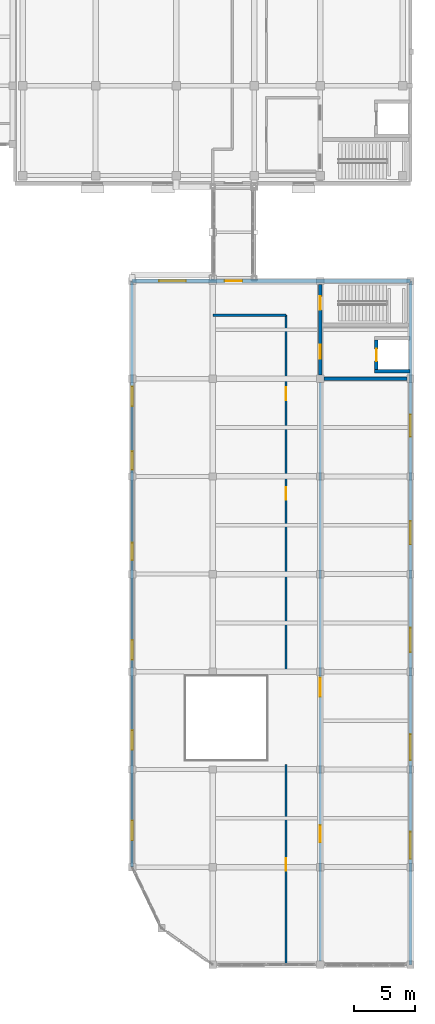
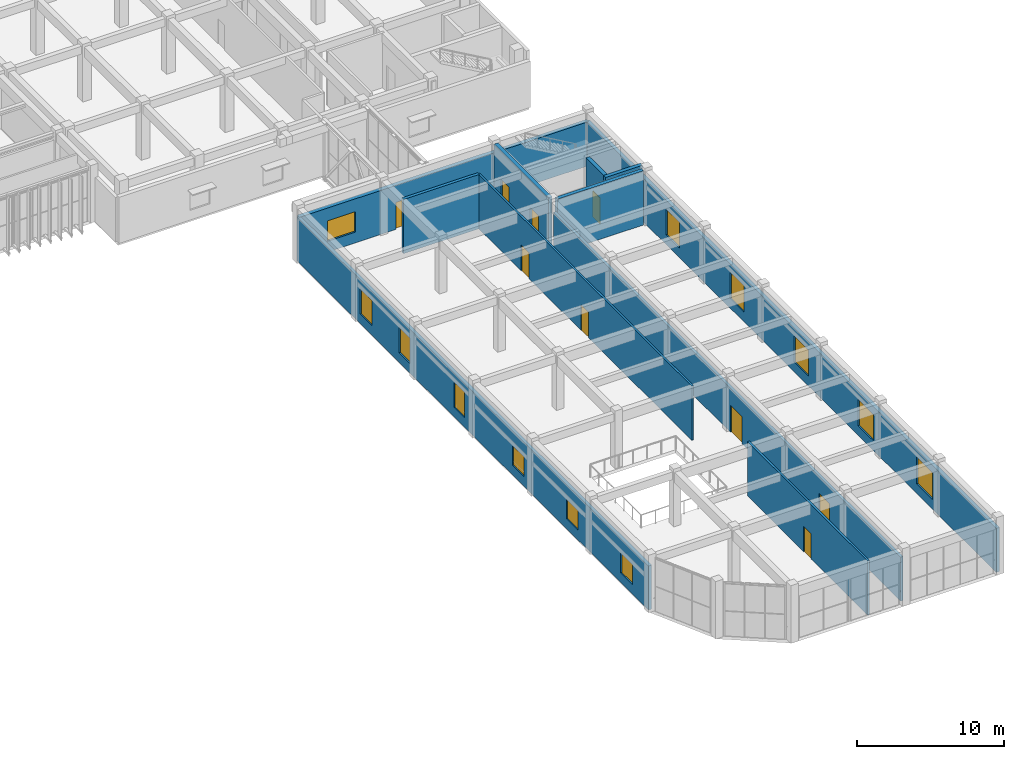
# One storey, part 43 of 64: 12 windows, 11 walls, 9 doors, 21 openings.
"""IFC4 building model written with IfcOpenShell, lengths in metres."""

import ifcopenshell
import ifcopenshell.guid

model = None  # the IFC model being written
_history = None  # IfcOwnerHistory: only IFC2X3 demands one
_inside = {}  # id of a spatial element -> (the spatial element, [elements in it])
_under = {}  # id of a project, library or spatial element -> (it, [spatial elements below it])
_declared = {}  # id of a project -> (the project, [libraries it declares])
_typed = {}  # id of a type object -> (the type object, [elements of that type])
_made_of = {}  # id of a material, layer set ... -> (it, [elements and type objects made of it])


def new_model(schema):
    """Start an empty IFC model of exactly this schema.

    Asked for "IFC4X3", IfcOpenShell would pick the latest addendum, in which some entities
    have other attributes; the version numbers below select the first issue.
    IFC2X3 requires an IfcOwnerHistory on every rooted entity: one is made here for all.
    """
    global model, _history
    if schema == "IFC4X3":
        model = ifcopenshell.file(schema_version=(4, 3, 0, 0))
    else:
        model = ifcopenshell.file(schema=schema)
    _inside.clear()
    _under.clear()
    _declared.clear()
    _typed.clear()
    _made_of.clear()
    _history = None
    if model.schema == "IFC2X3":
        org = make("IfcOrganization", Name="unknown")
        user = make(
            "IfcPersonAndOrganization",
            ThePerson=make("IfcPerson", FamilyName="unknown"),
            TheOrganization=org,
        )
        app = make(
            "IfcApplication",
            ApplicationDeveloper=org,
            Version="unknown",
            ApplicationFullName="unknown",
            ApplicationIdentifier="unknown",
        )
        _history = make(
            "IfcOwnerHistory",
            OwningUser=user,
            OwningApplication=app,
            ChangeAction="ADDED",
            CreationDate=0,
        )
    return model


def make(cls, **values):
    """One entity of the class cls with the attributes given. An attribute that is None is left unset."""
    return model.create_entity(
        cls, **{name: value for name, value in values.items() if value is not None}
    )


def rooted(cls, **values):
    """An entity with a GlobalId (a new one), such as an element, a storey or a relation."""
    return make(cls, GlobalId=ifcopenshell.guid.new(), OwnerHistory=_history, **values)


def si_unit(unit_type, name, prefix=None):
    """IfcSIUnit, for example si_unit("LENGTHUNIT", "METRE", prefix="MILLI")."""
    return make("IfcSIUnit", UnitType=unit_type, Prefix=prefix, Name=name)


def assignment(units):
    """IfcUnitAssignment: the units of a project."""
    return None if units is None else make("IfcUnitAssignment", Units=units)


def point(xyz):
    """IfcCartesianPoint."""
    return None if xyz is None else make("IfcCartesianPoint", Coordinates=xyz)


def direction(xyz):
    """IfcDirection."""
    return None if xyz is None else make("IfcDirection", DirectionRatios=xyz)


def frame(location, z_axis=None, x_axis=None):
    """IfcAxis2Placement3D, a coordinate frame: its origin and axes. An axis left out is left unset."""
    return make(
        "IfcAxis2Placement3D",
        Location=point(location),
        Axis=direction(z_axis),
        RefDirection=direction(x_axis),
    )


def frame_2d(location, x_axis=None):
    """IfcAxis2Placement2D, a coordinate frame in the plane: its origin and x axis."""
    return make(
        "IfcAxis2Placement2D", Location=point(location), RefDirection=direction(x_axis)
    )


def origin():
    """The frame at (0, 0, 0) with its axes left unset."""
    return frame((0.0, 0.0, 0.0))


def place(relative_to, where):
    """IfcLocalPlacement: puts the frame where relative to a parent placement (None: the world)."""
    return make(
        "IfcLocalPlacement", PlacementRelTo=relative_to, RelativePlacement=where
    )


def context(
    kind, dimensions, precision=None, world=None, true_north=None, identifier=None
):
    """IfcGeometricRepresentationContext, for example the 3D "Model" context."""
    return make(
        "IfcGeometricRepresentationContext",
        ContextIdentifier=identifier,
        ContextType=kind,
        CoordinateSpaceDimension=dimensions,
        Precision=precision,
        WorldCoordinateSystem=world,
        TrueNorth=true_north,
    )


def subcontext(parent, identifier, kind, view, scale=None):
    """IfcGeometricRepresentationSubContext, for example "Body" below "Model"."""
    return make(
        "IfcGeometricRepresentationSubContext",
        ContextIdentifier=identifier,
        ContextType=kind,
        ParentContext=parent,
        TargetScale=scale,
        TargetView=view,
    )


def project(units=None, contexts=None):
    """IfcProject with its units and contexts."""
    return rooted(
        "IfcProject",
        Name="project",
        RepresentationContexts=contexts,
        UnitsInContext=assignment(units),
    )


def spatial(cls, under=None, at=None, **own):
    """A site, building, storey or space (cls), placed at a placement, below another one or the project."""
    s = rooted(cls, ObjectPlacement=at, **own)
    if under is not None:
        _under.setdefault(under.id(), (under, []))[1].append(s)
    return s


def profile(cls, at=None, kind="AREA", **sizes):
    """A parametric profile (cls). Its sizes go by their IFC names, for example OverallWidth=200.0."""
    return make(cls, ProfileType=kind, Position=at, **sizes)


def rectangle(**sizes):
    """IfcRectangleProfileDef."""
    return profile("IfcRectangleProfileDef", **sizes)


def extrude(swept, where, along, depth):
    """IfcExtrudedAreaSolid: the profile swept, set in the frame where, extruded along a direction by depth."""
    return make(
        "IfcExtrudedAreaSolid",
        SweptArea=swept,
        Position=where,
        ExtrudedDirection=direction(along),
        Depth=depth,
    )


def shape(context_of_items, identifier, shape_type, items):
    """IfcShapeRepresentation: the items that make up one representation, for example the "Body"."""
    return make(
        "IfcShapeRepresentation",
        ContextOfItems=context_of_items,
        RepresentationIdentifier=identifier,
        RepresentationType=shape_type,
        Items=items,
    )


def material(Name=None, Category=None):
    """IfcMaterial."""
    return make("IfcMaterial", Name=Name, Category=Category)


def layer(
    of_material, thickness, ventilated=None, Name=None, Category=None, Priority=None
):
    """IfcMaterialLayer: one layer of a wall or slab, of a material (None: an air gap)."""
    return make(
        "IfcMaterialLayer",
        Material=of_material,
        LayerThickness=thickness,
        IsVentilated=ventilated,
        Name=Name,
        Category=Category,
        Priority=Priority,
    )


def layer_set(layers, Name=None):
    """IfcMaterialLayerSet."""
    return make("IfcMaterialLayerSet", MaterialLayers=layers, LayerSetName=Name)


def made_of(thing, what):
    """Note that an element or type object is made of a material, layer set ...; save() writes the relation."""
    if what is not None:
        _made_of.setdefault(what.id(), (what, []))[1].append(thing)
    return thing


def type_object(cls, material=None, **own):
    """A type object (cls), such as IfcWallType, which elements share."""
    return made_of(rooted(cls, **own), material)


def element(
    cls,
    number,
    at=None,
    inside=None,
    cuts=None,
    type_object=None,
    material=None,
    context=None,
    identifier="Body",
    shape_type=None,
    held_by="IfcProductDefinitionShape",
    body=None,
    shapes=None,
    **own,
):
    """One element of the class cls, such as IfcWall. Its Tag is "e" and its number.

    at: its placement. inside: the storey or other place that contains it. cuts: it is an
    opening in that element (IfcRelVoidsElement). A single representation is given by context,
    identifier, shape_type and body (its items); several are given by shapes. held_by: the class
    of the entity that holds the representations. save() writes the other relations.
    """
    e = rooted(cls, Tag="e%d" % number, ObjectPlacement=at, **own)
    if body is not None:
        shapes = [shape(context, identifier, shape_type, body)]
    if shapes is not None:
        e.Representation = make(held_by, Representations=shapes)
    if inside is not None:
        _inside.setdefault(inside.id(), (inside, []))[1].append(e)
    if cuts is not None:
        rooted(
            "IfcRelVoidsElement", RelatingBuildingElement=cuts, RelatedOpeningElement=e
        )
    if type_object is not None:
        _typed.setdefault(type_object.id(), (type_object, []))[1].append(e)
    return made_of(e, material)


def fill(opening, filler):
    """IfcRelFillsElement: the door or window that sits in an opening."""
    return rooted(
        "IfcRelFillsElement",
        RelatingOpeningElement=opening,
        RelatedBuildingElement=filler,
    )


def aggregate(whole, parts):
    """IfcRelAggregates: a whole, such as a stair, and the parts it consists of."""
    return rooted("IfcRelAggregates", RelatingObject=whole, RelatedObjects=parts)


def save(model, path):
    """Write the relations noted so far, then the file.

    IfcRelAggregates (storeys below a building ...), IfcRelContainedInSpatialStructure (elements
    in a storey), IfcRelDefinesByType, IfcRelAssociatesMaterial and IfcRelDeclares: one each for
    every whole, place, type object, material and project.
    """
    for whole, parts in _under.values():
        aggregate(whole, parts)
    for where, things in _inside.values():
        rooted(
            "IfcRelContainedInSpatialStructure",
            RelatedElements=things,
            RelatingStructure=where,
        )
    for kind, things in _typed.values():
        rooted("IfcRelDefinesByType", RelatedObjects=things, RelatingType=kind)
    for what, things in _made_of.values():
        rooted("IfcRelAssociatesMaterial", RelatedObjects=things, RelatingMaterial=what)
    for by, libraries in _declared.values():
        rooted("IfcRelDeclares", RelatingContext=by, RelatedDefinitions=libraries)
    model.write(path)


model = new_model("IFC4")

# Units and contexts
model_context = context("Model", 3, precision=1e-05, world=origin(), true_north=direction((0.0, 1.0)))
body_context = subcontext(model_context, "Body", "Model", "MODEL_VIEW")
ifc_project = project(units=[si_unit("LENGTHUNIT", "METRE"), si_unit("AREAUNIT", "SQUARE_METRE"), si_unit("VOLUMEUNIT", "CUBIC_METRE"), si_unit("PLANEANGLEUNIT", "RADIAN"), si_unit("MASSUNIT", "GRAM", prefix="KILO")], contexts=[model_context])

# Site, building, storey
site_placement = place(None, origin())
site = spatial("IfcSite", under=ifc_project, at=site_placement, CompositionType="ELEMENT")
building_placement = place(site_placement, origin())
building = spatial("IfcBuilding", under=site, at=building_placement, Name="Cinchona Park Media Centre", CompositionType="ELEMENT")
storey_placement = place(building_placement, frame((0.0, 0.0, 5.39990234375)))
storey = spatial("IfcBuildingStorey", under=building, at=storey_placement, Name="L01", CompositionType="ELEMENT", Elevation=5.39990234375)

# Wall, openings, doors
ifc_material_1 = material(Name="Acoustic Double-Stud Gypsum Partition", Category="gypsum")
ifc_layer_1 = layer(ifc_material_1, 0.2099609375)
ifc_layer_set_1 = layer_set([ifc_layer_1], Name="Acoustic Double-Stud Gypsum Partition")
wall_type_1 = type_object("IfcWallType", Name="WALL-W-AC210", PredefinedType="PARTITIONING", material=ifc_layer_set_1)
wall_1_placement = place(storey_placement, frame((164.60009765625, 55.298095703125, 0.0), z_axis=(0.0, 0.0, 1.0), x_axis=(0.0, -1.0, 0.0)))
wall_1 = element("IfcWall", 1, at=wall_1_placement, inside=storey, type_object=wall_type_1, Name="Interior Wall W-AC210 L01", PredefinedType="PARTITIONING", context=body_context, shape_type="SweptSolid", body=[
    extrude(rectangle(XDim=47.39599609375, YDim=0.2099609375, at=frame_2d((23.697998046875, 0.0))), origin(), (0.0, 0.0, 1.0), 3.670166015625),
])
opening_1_placement = place(wall_1_placement, frame((24.179931640625, 0.0, 0.0)))
opening_1 = element("IfcOpeningElement", 2, at=opening_1_placement, cuts=wall_1, Name="Opening D249", PredefinedType="OPENING", context=body_context, shape_type="SweptSolid", body=[
    extrude(rectangle(XDim=1.550048828125, YDim=2.25, at=frame_2d((0.77490234375, 1.125))), frame((0.0, 0.114990234375, 0.0), z_axis=(0.0, -1.0, 0.0), x_axis=(1.0, 0.0, 0.0)), (0.0, 0.0, 1.0), 0.22998046875),
])
opening_2_placement = place(wall_1_placement, frame((36.26904296875, 0.0, 0.0)))
opening_2 = element("IfcOpeningElement", 3, at=opening_2_placement, cuts=wall_1, Name="Opening D250", PredefinedType="OPENING", context=body_context, shape_type="SweptSolid", body=[
    extrude(rectangle(XDim=1.39990234375, YDim=2.25, at=frame_2d((0.699951171875, 1.125))), frame((0.0, 0.114990234375, 0.0), z_axis=(0.0, -1.0, 0.0), x_axis=(1.0, 0.0, 0.0)), (0.0, 0.0, 1.0), 0.22998046875),
])
ifc_material_2 = material(Name="Acoustic Double-Seal Steel Door", Category="steel")
door_type_1 = type_object("IfcDoorType", Name="DOOR-DT-AC", OperationType="NOTDEFINED", PredefinedType="DOOR", material=ifc_material_2)
door_1_placement = place(opening_2_placement, origin())
door_1 = element("IfcDoor", 4, at=door_1_placement, inside=storey, type_object=door_type_1, Name="Interior Door D250", OperationType="SINGLE_SWING_RIGHT", OverallHeight=2.25, OverallWidth=1.39990234375, PredefinedType="DOOR", context=body_context, shape_type="SweptSolid", body=[
    extrude(rectangle(XDim=1.39990234375, YDim=2.25, at=frame_2d((0.699951171875, 1.125))), frame((0.0, 0.02490234375, 0.0), z_axis=(0.0, -1.0, 0.0), x_axis=(1.0, 0.0, 0.0)), (0.0, 0.0, 1.0), 0.050048828125),
])
fill(opening_2, door_1)
ifc_material_3 = material(Name="Solid-Core Timber Acoustic Door", Category="wood")
door_type_2 = type_object("IfcDoorType", Name="DOOR-DT16", OperationType="NOTDEFINED", PredefinedType="DOOR", material=ifc_material_3)
door_2_placement = place(opening_1_placement, origin())
door_2 = element("IfcDoor", 5, at=door_2_placement, inside=storey, type_object=door_type_2, Name="Interior Door D249", OperationType="SINGLE_SWING_LEFT", OverallHeight=2.25, OverallWidth=1.550048828125, PredefinedType="DOOR", context=body_context, shape_type="SweptSolid", body=[
    extrude(rectangle(XDim=1.550048828125, YDim=2.25, at=frame_2d((0.77490234375, 1.125))), frame((0.0, 0.02490234375, 0.0), z_axis=(0.0, -1.0, 0.0), x_axis=(1.0, 0.0, 0.0)), (0.0, 0.0, 1.0), 0.050048828125),
])
fill(opening_1, door_2)

# Walls
ifc_material_4 = material(Name="Acoustic Double-Stud Gypsum Partition", Category="gypsum")
ifc_layer_2 = layer(ifc_material_4, 0.239990234375)
ifc_layer_set_2 = layer_set([ifc_layer_2], Name="Acoustic Double-Stud Gypsum Partition")
wall_type_2 = type_object("IfcWallType", Name="WALL-W-AC240", PredefinedType="PARTITIONING", material=ifc_layer_set_2)
wall_2_placement = place(storey_placement, frame((161.800048828125, 60.800048828125, 0.0), z_axis=(0.0, 0.0, 1.0), x_axis=(-1.0, 0.0, 0.0)))
element("IfcWall", 6, at=wall_2_placement, inside=storey, type_object=wall_type_2, Name="Interior Wall W-AC240 L01", PredefinedType="PARTITIONING", context=body_context, shape_type="SweptSolid", body=[
    extrude(rectangle(XDim=6.0, YDim=0.239990234375, at=frame_2d((3.0, 0.0))), origin(), (0.0, 0.0, 1.0), 4.52001953125),
])
ifc_material_5 = material(Name="Concrete C40/50", Category="concrete")
ifc_layer_3 = layer(ifc_material_5, 0.300048828125)
ifc_layer_set_3 = layer_set([ifc_layer_3], Name="Concrete C40/50")
wall_type_3 = type_object("IfcWallType", Name="WALL-W-CR300", PredefinedType="SHEAR", material=ifc_layer_set_3)
wall_3_placement = place(storey_placement, frame((164.902099609375, 55.60009765625, 0.0), z_axis=(0.0, 0.0, 1.0), x_axis=(1.0, 0.0, 0.0)))
element("IfcWall", 7, at=wall_3_placement, inside=storey, type_object=wall_type_3, Name="Core Shear Wall W-CR300 L01", PredefinedType="SHEAR", context=body_context, shape_type="SweptSolid", body=[
    extrude(rectangle(XDim=6.7958984375, YDim=0.300048828125, at=frame_2d((3.39794921875, 0.0))), origin(), (0.0, 0.0, 1.0), 4.52001953125),
])

# Wall, openings, doors
wall_4_placement = place(storey_placement, frame((164.60009765625, 55.902099609375, 0.0), z_axis=(0.0, 0.0, 1.0), x_axis=(0.0, 1.0, 0.0)))
wall_4 = element("IfcWall", 8, at=wall_4_placement, inside=storey, type_object=wall_type_3, Name="Core Shear Wall W-CR300 L01", PredefinedType="SHEAR", context=body_context, shape_type="SweptSolid", body=[
    extrude(rectangle(XDim=7.39599609375, YDim=0.300048828125, at=frame_2d((3.697998046875, 0.0))), origin(), (0.0, 0.0, 1.0), 4.52001953125),
])
opening_3_placement = place(wall_4_placement, frame((5.347900390625, 0.0, 0.0)))
opening_3 = element("IfcOpeningElement", 9, at=opening_3_placement, cuts=wall_4, Name="Opening D072", PredefinedType="OPENING", context=body_context, shape_type="SweptSolid", body=[
    extrude(rectangle(XDim=1.10009765625, YDim=2.14990234375, at=frame_2d((0.550048828125, 1.074951171875))), frame((0.0, 0.159912109375, 0.0), z_axis=(0.0, -1.0, 0.0), x_axis=(1.0, 0.0, 0.0)), (0.0, 0.0, 1.0), 0.320068359375),
])
opening_4_placement = place(wall_4_placement, frame((1.322998046875, 0.0, 0.0)))
opening_4 = element("IfcOpeningElement", 10, at=opening_4_placement, cuts=wall_4, Name="Opening D073", PredefinedType="OPENING", context=body_context, shape_type="SweptSolid", body=[
    extrude(rectangle(XDim=1.14990234375, YDim=2.199951171875, at=frame_2d((0.574951171875, 1.10009765625))), frame((0.0, 0.159912109375, 0.0), z_axis=(0.0, -1.0, 0.0), x_axis=(1.0, 0.0, 0.0)), (0.0, 0.0, 1.0), 0.320068359375),
])
ifc_material_6 = material(Name="Insulated Fire-Rated Steel Door", Category="steel")
door_type_3 = type_object("IfcDoorType", Name="DOOR-DT-FF", OperationType="NOTDEFINED", PredefinedType="DOOR", material=ifc_material_6)
door_3_placement = place(opening_4_placement, origin())
door_3 = element("IfcDoor", 11, at=door_3_placement, inside=storey, type_object=door_type_3, Name="Interior Door D073", OperationType="SINGLE_SWING_LEFT", OverallHeight=2.199951171875, OverallWidth=1.14990234375, PredefinedType="DOOR", context=body_context, shape_type="SweptSolid", body=[
    extrude(rectangle(XDim=1.14990234375, YDim=2.199951171875, at=frame_2d((0.574951171875, 1.10009765625))), frame((0.0, 0.02490234375, 0.0), z_axis=(0.0, -1.0, 0.0), x_axis=(1.0, 0.0, 0.0)), (0.0, 0.0, 1.0), 0.050048828125),
])
fill(opening_4, door_3)
ifc_material_7 = material(Name="Insulated Fire-Rated Steel Door", Category="steel")
door_type_4 = type_object("IfcDoorType", Name="DOOR-DT-ST", OperationType="NOTDEFINED", PredefinedType="DOOR", material=ifc_material_7)
door_4_placement = place(opening_3_placement, origin())
door_4 = element("IfcDoor", 12, at=door_4_placement, inside=storey, type_object=door_type_4, Name="Interior Door D072", OperationType="SINGLE_SWING_RIGHT", OverallHeight=2.14990234375, OverallWidth=1.10009765625, PredefinedType="DOOR", context=body_context, shape_type="SweptSolid", body=[
    extrude(rectangle(XDim=1.10009765625, YDim=2.14990234375, at=frame_2d((0.550048828125, 1.074951171875))), frame((0.0, 0.02490234375, 0.0), z_axis=(0.0, -1.0, 0.0), x_axis=(1.0, 0.0, 0.0)), (0.0, 0.0, 1.0), 0.050048828125),
])
fill(opening_3, door_4)

# Wall, openings, door, window
ifc_material_8 = material(Name="Precast concrete C40/50", Category="concrete")
ifc_layer_4 = layer(ifc_material_8, 0.320068359375)
ifc_layer_set_4 = layer_set([ifc_layer_4], Name="Precast concrete C40/50")
wall_type_4 = type_object("IfcWallType", Name="WALL-W-EX02", PredefinedType="SOLIDWALL", material=ifc_layer_set_4)
wall_5_placement = place(storey_placement, frame((149.199951171875, 63.60009765625, 0.0), z_axis=(0.0, 0.0, 1.0), x_axis=(1.0, 0.0, 0.0)))
wall_5 = element("IfcWall", 13, at=wall_5_placement, inside=storey, type_object=wall_type_4, Name="Exterior Wall W-EX02 V6 L01", PredefinedType="SOLIDWALL", context=body_context, shape_type="SweptSolid", body=[
    extrude(rectangle(XDim=22.800048828125, YDim=0.320068359375, at=frame_2d((11.39990234375, 0.0))), origin(), (0.0, 0.0, 1.0), 3.670166015625),
])
opening_5_placement = place(wall_5_placement, frame((2.199951171875, 0.0, 0.89990234375)))
opening_5 = element("IfcOpeningElement", 14, at=opening_5_placement, cuts=wall_5, Name="Opening WN28", PredefinedType="OPENING", context=body_context, shape_type="SweptSolid", body=[
    extrude(rectangle(XDim=2.199951171875, YDim=1.699951171875, at=frame_2d((1.10009765625, 0.85009765625))), frame((0.0, 0.169921875, 0.0), z_axis=(0.0, -1.0, 0.0), x_axis=(1.0, 0.0, 0.0)), (0.0, 0.0, 1.0), 0.340087890625),
])
opening_6_placement = place(wall_5_placement, frame((7.60009765625, 0.0, 0.0)))
opening_6 = element("IfcOpeningElement", 15, at=opening_6_placement, cuts=wall_5, Name="Opening D135", PredefinedType="OPENING", context=body_context, shape_type="SweptSolid", body=[
    extrude(rectangle(XDim=1.39990234375, YDim=2.25, at=frame_2d((0.699951171875, 1.125))), frame((0.0, 0.169921875, 0.0), z_axis=(0.0, -1.0, 0.0), x_axis=(1.0, 0.0, 0.0)), (0.0, 0.0, 1.0), 0.340087890625),
])
door_5_placement = place(opening_6_placement, origin())
door_5 = element("IfcDoor", 16, at=door_5_placement, inside=storey, type_object=door_type_1, Name="Interior Door D135", OperationType="SINGLE_SWING_LEFT", OverallHeight=2.25, OverallWidth=1.39990234375, PredefinedType="DOOR", context=body_context, shape_type="SweptSolid", body=[
    extrude(rectangle(XDim=1.39990234375, YDim=2.25, at=frame_2d((0.699951171875, 1.125))), frame((0.0, 0.02490234375, 0.0), z_axis=(0.0, -1.0, 0.0), x_axis=(1.0, 0.0, 0.0)), (0.0, 0.0, 1.0), 0.050048828125),
])
fill(opening_6, door_5)
ifc_material_9 = material(Name="Thermally Broken Aluminium Solar-Control Window", Category="aluminium")
window_type_1 = type_object("IfcWindowType", Name="WIN-WN28", PartitioningType="SINGLE_PANEL", PredefinedType="WINDOW", material=ifc_material_9)
window_1_placement = place(opening_5_placement, origin())
window_1 = element("IfcWindow", 17, at=window_1_placement, inside=storey, type_object=window_type_1, Name="Window WN28 L01", OverallHeight=1.699951171875, OverallWidth=2.199951171875, PartitioningType="SINGLE_PANEL", PredefinedType="WINDOW", context=body_context, shape_type="SweptSolid", body=[
    extrude(rectangle(XDim=2.199951171875, YDim=1.699951171875, at=frame_2d((1.10009765625, 0.85009765625))), frame((0.0, 0.030029296875, 0.0), z_axis=(0.0, -1.0, 0.0), x_axis=(1.0, 0.0, 0.0)), (0.0, 0.0, 1.0), 0.06005859375),
])
fill(opening_5, window_1)

# Wall, openings, windows
ifc_material_10 = material(Name="Precast concrete C40/50", Category="concrete")
ifc_layer_5 = layer(ifc_material_10, 0.27490234375)
ifc_layer_set_5 = layer_set([ifc_layer_5], Name="Precast concrete C40/50")
wall_type_5 = type_object("IfcWallType", Name="WALL-W-EX03", PredefinedType="SOLIDWALL", material=ifc_layer_set_5)
wall_6_placement = place(storey_placement, frame((172.0, 63.60009765625, 0.0), z_axis=(0.0, 0.0, 1.0), x_axis=(0.0, -1.0, 0.0)))
wall_6 = element("IfcWall", 18, at=wall_6_placement, inside=storey, type_object=wall_type_5, Name="Exterior Wall W-EX03 V6 L01", PredefinedType="SOLIDWALL", context=body_context, shape_type="SweptSolid", body=[
    extrude(rectangle(XDim=56.0, YDim=0.27490234375, at=frame_2d((28.0, 0.0))), origin(), (0.0, 0.0, 1.0), 3.670166015625),
])
opening_7_placement = place(wall_6_placement, frame((10.93310546875, 0.0, 0.800048828125)))
opening_7 = element("IfcOpeningElement", 19, at=opening_7_placement, cuts=wall_6, Name="Opening WN05", PredefinedType="OPENING", context=body_context, shape_type="SweptSolid", body=[
    extrude(rectangle(XDim=1.800048828125, YDim=2.14990234375, at=frame_2d((0.89990234375, 1.074951171875))), frame((0.0, 0.1474609375, 0.0), z_axis=(0.0, -1.0, 0.0), x_axis=(1.0, 0.0, 0.0)), (0.0, 0.0, 1.0), 0.294921875),
])
opening_8_placement = place(wall_6_placement, frame((19.6669921875, 0.0, 0.800048828125)))
opening_8 = element("IfcOpeningElement", 20, at=opening_8_placement, cuts=wall_6, Name="Opening WN06", PredefinedType="OPENING", context=body_context, shape_type="SweptSolid", body=[
    extrude(rectangle(XDim=1.89990234375, YDim=2.199951171875, at=frame_2d((0.949951171875, 1.10009765625))), frame((0.0, 0.1474609375, 0.0), z_axis=(0.0, -1.0, 0.0), x_axis=(1.0, 0.0, 0.0)), (0.0, 0.0, 1.0), 0.294921875),
])
opening_9_placement = place(wall_6_placement, frame((28.39990234375, 0.0, 0.800048828125)))
opening_9 = element("IfcOpeningElement", 21, at=opening_9_placement, cuts=wall_6, Name="Opening WN07", PredefinedType="OPENING", context=body_context, shape_type="SweptSolid", body=[
    extrude(rectangle(XDim=2.0, YDim=2.199951171875, at=frame_2d((1.0, 1.10009765625))), frame((0.0, 0.1474609375, 0.0), z_axis=(0.0, -1.0, 0.0), x_axis=(1.0, 0.0, 0.0)), (0.0, 0.0, 1.0), 0.294921875),
])
opening_10_placement = place(wall_6_placement, frame((37.133056640625, 0.0, 0.800048828125)))
opening_10 = element("IfcOpeningElement", 22, at=opening_10_placement, cuts=wall_6, Name="Opening WN08", PredefinedType="OPENING", context=body_context, shape_type="SweptSolid", body=[
    extrude(rectangle(XDim=2.10009765625, YDim=2.199951171875, at=frame_2d((1.050048828125, 1.10009765625))), frame((0.0, 0.1474609375, 0.0), z_axis=(0.0, -1.0, 0.0), x_axis=(1.0, 0.0, 0.0)), (0.0, 0.0, 1.0), 0.294921875),
])
opening_11_placement = place(wall_6_placement, frame((45.116943359375, 0.0, 0.800048828125)))
opening_11 = element("IfcOpeningElement", 23, at=opening_11_placement, cuts=wall_6, Name="Opening WN09", PredefinedType="OPENING", context=body_context, shape_type="SweptSolid", body=[
    extrude(rectangle(XDim=2.199951171875, YDim=2.25, at=frame_2d((1.10009765625, 1.125))), frame((0.0, 0.1474609375, 0.0), z_axis=(0.0, -1.0, 0.0), x_axis=(1.0, 0.0, 0.0)), (0.0, 0.0, 1.0), 0.294921875),
])
ifc_material_11 = material(Name="Thermally Broken Aluminium Solar-Control Window", Category="aluminium")
window_type_2 = type_object("IfcWindowType", Name="WIN-WN05", PartitioningType="SINGLE_PANEL", PredefinedType="WINDOW", material=ifc_material_11)
window_2_placement = place(opening_7_placement, origin())
window_2 = element("IfcWindow", 24, at=window_2_placement, inside=storey, type_object=window_type_2, Name="Window WN05 L01", OverallHeight=2.14990234375, OverallWidth=1.800048828125, PartitioningType="SINGLE_PANEL", PredefinedType="WINDOW", context=body_context, shape_type="SweptSolid", body=[
    extrude(rectangle(XDim=1.800048828125, YDim=2.14990234375, at=frame_2d((0.89990234375, 1.074951171875))), frame((0.0, 0.030029296875, 0.0), z_axis=(0.0, -1.0, 0.0), x_axis=(1.0, 0.0, 0.0)), (0.0, 0.0, 1.0), 0.06005859375),
])
fill(opening_7, window_2)
ifc_material_12 = material(Name="Thermally Broken Aluminium Solar-Control Window", Category="aluminium")
window_type_3 = type_object("IfcWindowType", Name="WIN-WN06", PartitioningType="SINGLE_PANEL", PredefinedType="WINDOW", material=ifc_material_12)
window_3_placement = place(opening_8_placement, origin())
window_3 = element("IfcWindow", 25, at=window_3_placement, inside=storey, type_object=window_type_3, Name="Window WN06 L01", OverallHeight=2.199951171875, OverallWidth=1.89990234375, PartitioningType="SINGLE_PANEL", PredefinedType="WINDOW", context=body_context, shape_type="SweptSolid", body=[
    extrude(rectangle(XDim=1.89990234375, YDim=2.199951171875, at=frame_2d((0.949951171875, 1.10009765625))), frame((0.0, 0.030029296875, 0.0), z_axis=(0.0, -1.0, 0.0), x_axis=(1.0, 0.0, 0.0)), (0.0, 0.0, 1.0), 0.06005859375),
])
fill(opening_8, window_3)
ifc_material_13 = material(Name="Thermally Broken Aluminium Solar-Control Window", Category="aluminium")
window_type_4 = type_object("IfcWindowType", Name="WIN-WN07", PartitioningType="SINGLE_PANEL", PredefinedType="WINDOW", material=ifc_material_13)
window_4_placement = place(opening_9_placement, origin())
window_4 = element("IfcWindow", 26, at=window_4_placement, inside=storey, type_object=window_type_4, Name="Window WN07 L01", OverallHeight=2.199951171875, OverallWidth=2.0, PartitioningType="SINGLE_PANEL", PredefinedType="WINDOW", context=body_context, shape_type="SweptSolid", body=[
    extrude(rectangle(XDim=2.0, YDim=2.199951171875, at=frame_2d((1.0, 1.10009765625))), frame((0.0, 0.030029296875, 0.0), z_axis=(0.0, -1.0, 0.0), x_axis=(1.0, 0.0, 0.0)), (0.0, 0.0, 1.0), 0.06005859375),
])
fill(opening_9, window_4)
ifc_material_14 = material(Name="Thermally Broken Aluminium Solar-Control Window", Category="aluminium")
window_type_5 = type_object("IfcWindowType", Name="WIN-WN08", PartitioningType="SINGLE_PANEL", PredefinedType="WINDOW", material=ifc_material_14)
window_5_placement = place(opening_10_placement, origin())
window_5 = element("IfcWindow", 27, at=window_5_placement, inside=storey, type_object=window_type_5, Name="Window WN08 L01", OverallHeight=2.199951171875, OverallWidth=2.10009765625, PartitioningType="SINGLE_PANEL", PredefinedType="WINDOW", context=body_context, shape_type="SweptSolid", body=[
    extrude(rectangle(XDim=2.10009765625, YDim=2.199951171875, at=frame_2d((1.050048828125, 1.10009765625))), frame((0.0, 0.030029296875, 0.0), z_axis=(0.0, -1.0, 0.0), x_axis=(1.0, 0.0, 0.0)), (0.0, 0.0, 1.0), 0.06005859375),
])
fill(opening_10, window_5)
ifc_material_15 = material(Name="Thermally Broken Aluminium Solar-Control Window", Category="aluminium")
window_type_6 = type_object("IfcWindowType", Name="WIN-WN09", PartitioningType="SINGLE_PANEL", PredefinedType="WINDOW", material=ifc_material_15)
window_6_placement = place(opening_11_placement, origin())
window_6 = element("IfcWindow", 28, at=window_6_placement, inside=storey, type_object=window_type_6, Name="Window WN09 L01", OverallHeight=2.25, OverallWidth=2.199951171875, PartitioningType="SINGLE_PANEL", PredefinedType="WINDOW", context=body_context, shape_type="SweptSolid", body=[
    extrude(rectangle(XDim=2.199951171875, YDim=2.25, at=frame_2d((1.10009765625, 1.125))), frame((0.0, 0.030029296875, 0.0), z_axis=(0.0, -1.0, 0.0), x_axis=(1.0, 0.0, 0.0)), (0.0, 0.0, 1.0), 0.06005859375),
])
fill(opening_11, window_6)

ifc_material_16 = material(Name="Precast concrete C40/50", Category="concrete")
ifc_layer_6 = layer(ifc_material_16, 0.25)
ifc_layer_set_6 = layer_set([ifc_layer_6], Name="Precast concrete C40/50")
wall_type_6 = type_object("IfcWallType", Name="WALL-W-EX04", PredefinedType="SOLIDWALL", material=ifc_layer_set_6)
wall_7_placement = place(storey_placement, frame((149.199951171875, 15.60009765625, 0.0), z_axis=(0.0, 0.0, 1.0), x_axis=(0.0, 1.0, 0.0)))
wall_7 = element("IfcWall", 29, at=wall_7_placement, inside=storey, type_object=wall_type_6, Name="Exterior Wall W-EX04 V6 L01", PredefinedType="SOLIDWALL", context=body_context, shape_type="SweptSolid", body=[
    extrude(rectangle(XDim=48.0, YDim=0.25, at=frame_2d((24.0, 0.0))), origin(), (0.0, 0.0, 1.0), 3.670166015625),
])
opening_12_placement = place(wall_7_placement, frame((2.199951171875, 0.0, 0.800048828125)))
opening_12 = element("IfcOpeningElement", 30, at=opening_12_placement, cuts=wall_7, Name="Opening WN25", PredefinedType="OPENING", context=body_context, shape_type="SweptSolid", body=[
    extrude(rectangle(XDim=1.60009765625, YDim=1.64990234375, at=frame_2d((0.800048828125, 0.824951171875))), frame((0.0, 0.135009765625, 0.0), z_axis=(0.0, -1.0, 0.0), x_axis=(1.0, 0.0, 0.0)), (0.0, 0.0, 1.0), 0.27001953125),
])
opening_13_placement = place(wall_7_placement, frame((9.60009765625, 0.0, 0.800048828125)))
opening_13 = element("IfcOpeningElement", 31, at=opening_13_placement, cuts=wall_7, Name="Opening WN25", PredefinedType="OPENING", context=body_context, shape_type="SweptSolid", body=[
    extrude(rectangle(XDim=1.60009765625, YDim=1.64990234375, at=frame_2d((0.800048828125, 0.824951171875))), frame((0.0, 0.135009765625, 0.0), z_axis=(0.0, -1.0, 0.0), x_axis=(1.0, 0.0, 0.0)), (0.0, 0.0, 1.0), 0.27001953125),
])
opening_14_placement = place(wall_7_placement, frame((17.0, 0.0, 0.800048828125)))
opening_14 = element("IfcOpeningElement", 32, at=opening_14_placement, cuts=wall_7, Name="Opening WN25", PredefinedType="OPENING", context=body_context, shape_type="SweptSolid", body=[
    extrude(rectangle(XDim=1.60009765625, YDim=1.64990234375, at=frame_2d((0.800048828125, 0.824951171875))), frame((0.0, 0.135009765625, 0.0), z_axis=(0.0, -1.0, 0.0), x_axis=(1.0, 0.0, 0.0)), (0.0, 0.0, 1.0), 0.27001953125),
])
opening_15_placement = place(wall_7_placement, frame((25.14990234375, 0.0, 0.800048828125)))
opening_15 = element("IfcOpeningElement", 33, at=opening_15_placement, cuts=wall_7, Name="Opening WN01", PredefinedType="OPENING", context=body_context, shape_type="SweptSolid", body=[
    extrude(rectangle(XDim=1.39990234375, YDim=2.10009765625, at=frame_2d((0.699951171875, 1.050048828125))), frame((0.0, 0.135009765625, 0.0), z_axis=(0.0, -1.0, 0.0), x_axis=(1.0, 0.0, 0.0)), (0.0, 0.0, 1.0), 0.27001953125),
])
opening_16_placement = place(wall_7_placement, frame((32.550048828125, 0.0, 0.800048828125)))
opening_16 = element("IfcOpeningElement", 34, at=opening_16_placement, cuts=wall_7, Name="Opening WN02", PredefinedType="OPENING", context=body_context, shape_type="SweptSolid", body=[
    extrude(rectangle(XDim=1.5, YDim=2.10009765625, at=frame_2d((0.75, 1.050048828125))), frame((0.0, 0.135009765625, 0.0), z_axis=(0.0, -1.0, 0.0), x_axis=(1.0, 0.0, 0.0)), (0.0, 0.0, 1.0), 0.27001953125),
])
opening_17_placement = place(wall_7_placement, frame((37.75, 0.0, 0.800048828125)))
opening_17 = element("IfcOpeningElement", 35, at=opening_17_placement, cuts=wall_7, Name="Opening WN03", PredefinedType="OPENING", context=body_context, shape_type="SweptSolid", body=[
    extrude(rectangle(XDim=1.60009765625, YDim=2.10009765625, at=frame_2d((0.800048828125, 1.050048828125))), frame((0.0, 0.135009765625, 0.0), z_axis=(0.0, -1.0, 0.0), x_axis=(1.0, 0.0, 0.0)), (0.0, 0.0, 1.0), 0.27001953125),
])
ifc_material_17 = material(Name="Thermally Broken Aluminium Solar-Control Window", Category="aluminium")
window_type_7 = type_object("IfcWindowType", Name="WIN-WN01", PartitioningType="SINGLE_PANEL", PredefinedType="WINDOW", material=ifc_material_17)
window_7_placement = place(opening_15_placement, origin())
window_7 = element("IfcWindow", 36, at=window_7_placement, inside=storey, type_object=window_type_7, Name="Window WN01 L01", OverallHeight=2.10009765625, OverallWidth=1.39990234375, PartitioningType="SINGLE_PANEL", PredefinedType="WINDOW", context=body_context, shape_type="SweptSolid", body=[
    extrude(rectangle(XDim=1.39990234375, YDim=2.10009765625, at=frame_2d((0.699951171875, 1.050048828125))), frame((0.0, 0.030029296875, 0.0), z_axis=(0.0, -1.0, 0.0), x_axis=(1.0, 0.0, 0.0)), (0.0, 0.0, 1.0), 0.06005859375),
])
fill(opening_15, window_7)
ifc_material_18 = material(Name="Thermally Broken Aluminium Solar-Control Window", Category="aluminium")
window_type_8 = type_object("IfcWindowType", Name="WIN-WN02", PartitioningType="SINGLE_PANEL", PredefinedType="WINDOW", material=ifc_material_18)
window_8_placement = place(opening_16_placement, origin())
window_8 = element("IfcWindow", 37, at=window_8_placement, inside=storey, type_object=window_type_8, Name="Window WN02 L01", OverallHeight=2.10009765625, OverallWidth=1.5, PartitioningType="SINGLE_PANEL", PredefinedType="WINDOW", context=body_context, shape_type="SweptSolid", body=[
    extrude(rectangle(XDim=1.5, YDim=2.10009765625, at=frame_2d((0.75, 1.050048828125))), frame((0.0, 0.030029296875, 0.0), z_axis=(0.0, -1.0, 0.0), x_axis=(1.0, 0.0, 0.0)), (0.0, 0.0, 1.0), 0.06005859375),
])
fill(opening_16, window_8)
ifc_material_19 = material(Name="Thermally Broken Aluminium Solar-Control Window", Category="aluminium")
window_type_9 = type_object("IfcWindowType", Name="WIN-WN03", PartitioningType="SINGLE_PANEL", PredefinedType="WINDOW", material=ifc_material_19)
window_9_placement = place(opening_17_placement, origin())
window_9 = element("IfcWindow", 38, at=window_9_placement, inside=storey, type_object=window_type_9, Name="Window WN03 L01", OverallHeight=2.10009765625, OverallWidth=1.60009765625, PartitioningType="SINGLE_PANEL", PredefinedType="WINDOW", context=body_context, shape_type="SweptSolid", body=[
    extrude(rectangle(XDim=1.60009765625, YDim=2.10009765625, at=frame_2d((0.800048828125, 1.050048828125))), frame((0.0, 0.030029296875, 0.0), z_axis=(0.0, -1.0, 0.0), x_axis=(1.0, 0.0, 0.0)), (0.0, 0.0, 1.0), 0.06005859375),
])
fill(opening_17, window_9)
ifc_material_20 = material(Name="Thermally Broken Aluminium Solar-Control Window", Category="aluminium")
window_type_10 = type_object("IfcWindowType", Name="WIN-WN25", PartitioningType="SINGLE_PANEL", PredefinedType="WINDOW", material=ifc_material_20)
window_10_placement = place(opening_12_placement, origin())
window_10 = element("IfcWindow", 39, at=window_10_placement, inside=storey, type_object=window_type_10, Name="Window WN25 L01", OverallHeight=1.64990234375, OverallWidth=1.60009765625, PartitioningType="SINGLE_PANEL", PredefinedType="WINDOW", context=body_context, shape_type="SweptSolid", body=[
    extrude(rectangle(XDim=1.60009765625, YDim=1.64990234375, at=frame_2d((0.800048828125, 0.824951171875))), frame((0.0, 0.030029296875, 0.0), z_axis=(0.0, -1.0, 0.0), x_axis=(1.0, 0.0, 0.0)), (0.0, 0.0, 1.0), 0.06005859375),
])
fill(opening_12, window_10)
window_11_placement = place(opening_13_placement, origin())
window_11 = element("IfcWindow", 40, at=window_11_placement, inside=storey, type_object=window_type_10, Name="Window WN25 L01", OverallHeight=1.64990234375, OverallWidth=1.60009765625, PartitioningType="SINGLE_PANEL", PredefinedType="WINDOW", context=body_context, shape_type="SweptSolid", body=[
    extrude(rectangle(XDim=1.60009765625, YDim=1.64990234375, at=frame_2d((0.800048828125, 0.824951171875))), frame((0.0, 0.030029296875, 0.0), z_axis=(0.0, -1.0, 0.0), x_axis=(1.0, 0.0, 0.0)), (0.0, 0.0, 1.0), 0.06005859375),
])
fill(opening_13, window_11)
window_12_placement = place(opening_14_placement, origin())
window_12 = element("IfcWindow", 41, at=window_12_placement, inside=storey, type_object=window_type_10, Name="Window WN25 L01", OverallHeight=1.64990234375, OverallWidth=1.60009765625, PartitioningType="SINGLE_PANEL", PredefinedType="WINDOW", context=body_context, shape_type="SweptSolid", body=[
    extrude(rectangle(XDim=1.60009765625, YDim=1.64990234375, at=frame_2d((0.800048828125, 0.824951171875))), frame((0.0, 0.030029296875, 0.0), z_axis=(0.0, -1.0, 0.0), x_axis=(1.0, 0.0, 0.0)), (0.0, 0.0, 1.0), 0.06005859375),
])
fill(opening_14, window_12)

# Wall, openings, doors
ifc_material_21 = material(Name="Fire-Rated Gypsum Stud Partition", Category="gypsum")
ifc_layer_7 = layer(ifc_material_21, 0.14990234375)
ifc_layer_set_7 = layer_set([ifc_layer_7], Name="Fire-Rated Gypsum Stud Partition")
wall_type_7 = type_object("IfcWallType", Name="WALL-W-PT150", PredefinedType="PARTITIONING", material=ifc_layer_set_7)
wall_8_placement = place(storey_placement, frame((161.800048828125, 31.60009765625, 0.0), z_axis=(0.0, 0.0, 1.0), x_axis=(0.0, 1.0, 0.0)))
wall_8 = element("IfcWall", 42, at=wall_8_placement, inside=storey, type_object=wall_type_7, Name="Interior Wall W-PT150 L01", PredefinedType="PARTITIONING", context=body_context, shape_type="SweptSolid", body=[
    extrude(rectangle(XDim=29.199951171875, YDim=0.14990234375, at=frame_2d((14.60009765625, 0.0))), origin(), (0.0, 0.0, 1.0), 4.52001953125),
])
opening_18_placement = place(wall_8_placement, frame((14.074951171875, 0.0, 0.0)))
opening_18 = element("IfcOpeningElement", 43, at=opening_18_placement, cuts=wall_8, Name="Opening D247", PredefinedType="OPENING", context=body_context, shape_type="SweptSolid", body=[
    extrude(rectangle(XDim=1.050048828125, YDim=2.14990234375, at=frame_2d((0.52490234375, 1.074951171875))), frame((0.0, 0.0849609375, 0.0), z_axis=(0.0, -1.0, 0.0), x_axis=(1.0, 0.0, 0.0)), (0.0, 0.0, 1.0), 0.169921875),
])
opening_19_placement = place(wall_8_placement, frame((22.2509765625, 0.0, 0.0)))
opening_19 = element("IfcOpeningElement", 44, at=opening_19_placement, cuts=wall_8, Name="Opening D248", PredefinedType="OPENING", context=body_context, shape_type="SweptSolid", body=[
    extrude(rectangle(XDim=1.050048828125, YDim=2.14990234375, at=frame_2d((0.52490234375, 1.074951171875))), frame((0.0, 0.0849609375, 0.0), z_axis=(0.0, -1.0, 0.0), x_axis=(1.0, 0.0, 0.0)), (0.0, 0.0, 1.0), 0.169921875),
])
ifc_material_22 = material(Name="Solid-Core Timber Acoustic Door", Category="wood")
door_type_5 = type_object("IfcDoorType", Name="DOOR-DT06", OperationType="NOTDEFINED", PredefinedType="DOOR", material=ifc_material_22)
door_6_placement = place(opening_18_placement, origin())
door_6 = element("IfcDoor", 45, at=door_6_placement, inside=storey, type_object=door_type_5, Name="Interior Door D247", OperationType="SINGLE_SWING_LEFT", OverallHeight=2.14990234375, OverallWidth=1.050048828125, PredefinedType="DOOR", context=body_context, shape_type="SweptSolid", body=[
    extrude(rectangle(XDim=1.050048828125, YDim=2.14990234375, at=frame_2d((0.52490234375, 1.074951171875))), frame((0.0, 0.02490234375, 0.0), z_axis=(0.0, -1.0, 0.0), x_axis=(1.0, 0.0, 0.0)), (0.0, 0.0, 1.0), 0.050048828125),
])
fill(opening_18, door_6)
door_7_placement = place(opening_19_placement, origin())
door_7 = element("IfcDoor", 46, at=door_7_placement, inside=storey, type_object=door_type_5, Name="Interior Door D248", OperationType="SINGLE_SWING_RIGHT", OverallHeight=2.14990234375, OverallWidth=1.050048828125, PredefinedType="DOOR", context=body_context, shape_type="SweptSolid", body=[
    extrude(rectangle(XDim=1.050048828125, YDim=2.14990234375, at=frame_2d((0.52490234375, 1.074951171875))), frame((0.0, 0.02490234375, 0.0), z_axis=(0.0, -1.0, 0.0), x_axis=(1.0, 0.0, 0.0)), (0.0, 0.0, 1.0), 0.050048828125),
])
fill(opening_19, door_7)

# Wall, opening, door
ifc_material_23 = material(Name="Fire-Rated Gypsum Stud Partition", Category="gypsum")
ifc_layer_8 = layer(ifc_material_23, 0.1650390625)
ifc_layer_set_8 = layer_set([ifc_layer_8], Name="Fire-Rated Gypsum Stud Partition")
wall_type_8 = type_object("IfcWallType", Name="WALL-W-PT165", PredefinedType="PARTITIONING", material=ifc_layer_set_8)
wall_9_placement = place(storey_placement, frame((161.800048828125, 7.60009765625, 0.0), z_axis=(0.0, 0.0, 1.0), x_axis=(0.0, 1.0, 0.0)))
wall_9 = element("IfcWall", 47, at=wall_9_placement, inside=storey, type_object=wall_type_8, Name="Interior Wall W-PT165 L01", PredefinedType="PARTITIONING", context=body_context, shape_type="SweptSolid", body=[
    extrude(rectangle(XDim=16.39990234375, YDim=0.1650390625, at=frame_2d((8.199951171875, 0.0))), origin(), (0.0, 0.0, 1.0), 4.52001953125),
])
opening_20_placement = place(wall_9_placement, frame((7.68994140625, 0.0, 0.0)))
opening_20 = element("IfcOpeningElement", 48, at=opening_20_placement, cuts=wall_9, Name="Opening D246", PredefinedType="OPENING", context=body_context, shape_type="SweptSolid", body=[
    extrude(rectangle(XDim=1.02001953125, YDim=2.10009765625, at=frame_2d((0.510009765625, 1.050048828125))), frame((0.0, 0.092529296875, 0.0), z_axis=(0.0, -1.0, 0.0), x_axis=(1.0, 0.0, 0.0)), (0.0, 0.0, 1.0), 0.18505859375),
])
ifc_material_24 = material(Name="Solid-Core Timber Acoustic Door", Category="wood")
door_type_6 = type_object("IfcDoorType", Name="DOOR-DT05", OperationType="NOTDEFINED", PredefinedType="DOOR", material=ifc_material_24)
door_8_placement = place(opening_20_placement, origin())
door_8 = element("IfcDoor", 49, at=door_8_placement, inside=storey, type_object=door_type_6, Name="Interior Door D246", OperationType="SINGLE_SWING_RIGHT", OverallHeight=2.10009765625, OverallWidth=1.02001953125, PredefinedType="DOOR", context=body_context, shape_type="SweptSolid", body=[
    extrude(rectangle(XDim=1.02001953125, YDim=2.10009765625, at=frame_2d((0.510009765625, 1.050048828125))), frame((0.0, 0.02490234375, 0.0), z_axis=(0.0, -1.0, 0.0), x_axis=(1.0, 0.0, 0.0)), (0.0, 0.0, 1.0), 0.050048828125),
])
fill(opening_20, door_8)

# Wall
ifc_material_25 = material(Name="Concrete C40/50", Category="concrete")
ifc_layer_9 = layer(ifc_material_25, 0.2900390625)
ifc_layer_set_9 = layer_set([ifc_layer_9], Name="Concrete C40/50")
wall_type_9 = type_object("IfcWallType", Name="WALL-W-SH290", PredefinedType="SHEAR", material=ifc_layer_set_9)
wall_10_placement = place(storey_placement, frame((169.054931640625, 56.199951171875, 0.0), z_axis=(0.0, 0.0, 1.0), x_axis=(1.0, 0.0, 0.0)))
element("IfcWall", 50, at=wall_10_placement, inside=storey, type_object=wall_type_9, Name="Core Shear Wall W-SH290 L01", PredefinedType="SHEAR", context=body_context, shape_type="SweptSolid", body=[
    extrude(rectangle(XDim=2.89013671875, YDim=0.2900390625, at=frame_2d((1.445068359375, 0.0))), origin(), (0.0, 0.0, 1.0), 4.52001953125),
])

# Wall, opening, door
wall_11_placement = place(storey_placement, frame((169.199951171875, 56.344970703125, 0.0), z_axis=(0.0, 0.0, 1.0), x_axis=(0.0, 1.0, 0.0)))
wall_11 = element("IfcWall", 51, at=wall_11_placement, inside=storey, type_object=wall_type_9, Name="Core Shear Wall W-SH290 L01", PredefinedType="SHEAR", context=body_context, shape_type="SweptSolid", body=[
    extrude(rectangle(XDim=2.409912109375, YDim=0.2900390625, at=frame_2d((1.205078125, 0.0))), origin(), (0.0, 0.0, 1.0), 4.52001953125),
])
opening_21_placement = place(wall_11_placement, frame((0.705078125, 0.0, 0.0)))
opening_21 = element("IfcOpeningElement", 52, at=opening_21_placement, cuts=wall_11, Name="Opening LD21", PredefinedType="OPENING", context=body_context, shape_type="SweptSolid", body=[
    extrude(rectangle(XDim=1.0, YDim=2.14990234375, at=frame_2d((0.5, 1.074951171875))), frame((0.0, 0.155029296875, 0.0), z_axis=(0.0, -1.0, 0.0), x_axis=(1.0, 0.0, 0.0)), (0.0, 0.0, 1.0), 0.31005859375),
])
ifc_material_26 = material(Name="Stainless Steel Sliding Lift Landing Door", Category="steel")
door_type_7 = type_object("IfcDoorType", Name="DOOR-DT-LD2", OperationType="NOTDEFINED", PredefinedType="DOOR", material=ifc_material_26)
door_9_placement = place(opening_21_placement, origin())
door_9 = element("IfcDoor", 53, at=door_9_placement, inside=storey, type_object=door_type_7, Name="Lift Landing Door LD21", OperationType="SLIDING_TO_LEFT", OverallHeight=2.14990234375, OverallWidth=1.0, PredefinedType="DOOR", context=body_context, shape_type="SweptSolid", body=[
    extrude(rectangle(XDim=1.0, YDim=2.14990234375, at=frame_2d((0.5, 1.074951171875))), frame((0.0, 0.02490234375, 0.0), z_axis=(0.0, -1.0, 0.0), x_axis=(1.0, 0.0, 0.0)), (0.0, 0.0, 1.0), 0.050048828125),
])
fill(opening_21, door_9)

save(model, "model.ifc")
